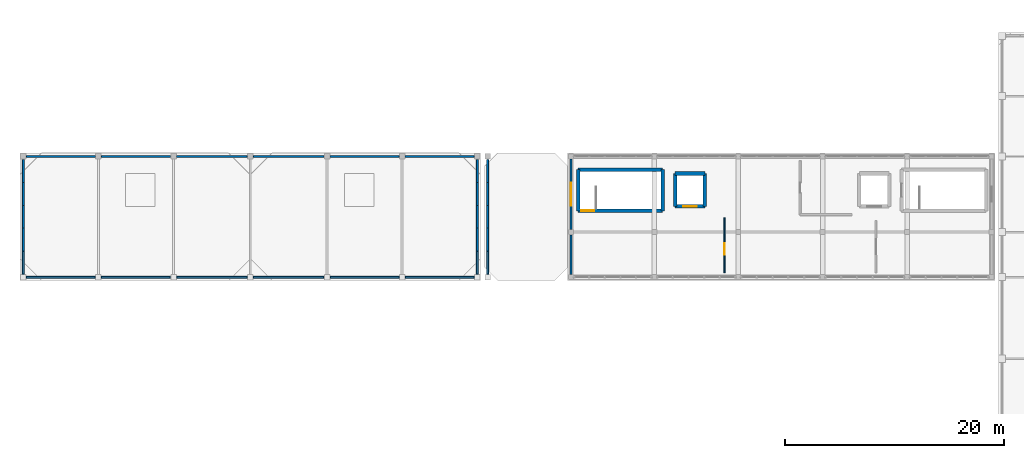
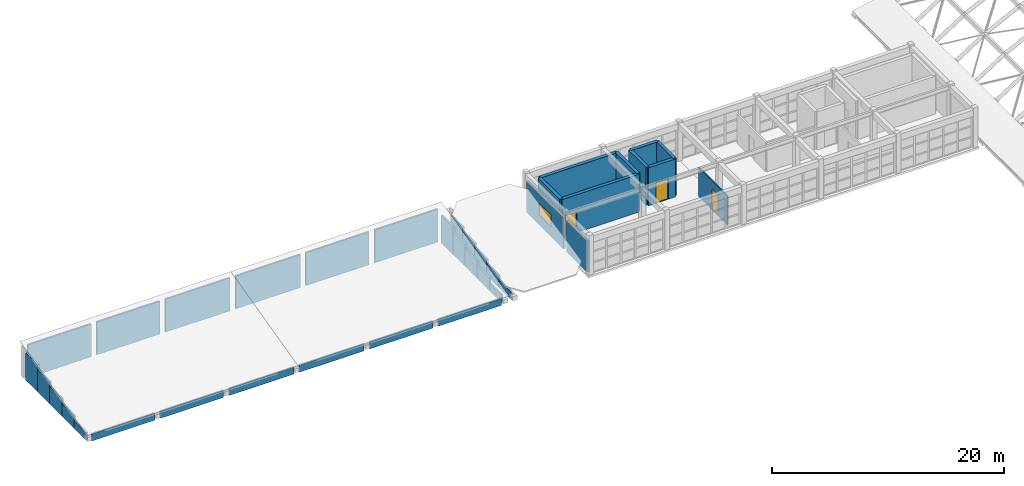
# One storey, part 46 of 52: 38 walls, 3 doors, 1 window, 4 openings.
"""IFC4 building model written with IfcOpenShell, lengths in metres."""

import ifcopenshell
import ifcopenshell.guid

model = None  # the IFC model being written
_history = None  # IfcOwnerHistory: only IFC2X3 demands one
_inside = {}  # id of a spatial element -> (the spatial element, [elements in it])
_under = {}  # id of a project, library or spatial element -> (it, [spatial elements below it])
_declared = {}  # id of a project -> (the project, [libraries it declares])
_typed = {}  # id of a type object -> (the type object, [elements of that type])
_made_of = {}  # id of a material, layer set ... -> (it, [elements and type objects made of it])


def new_model(schema):
    """Start an empty IFC model of exactly this schema.

    Asked for "IFC4X3", IfcOpenShell would pick the latest addendum, in which some entities
    have other attributes; the version numbers below select the first issue.
    IFC2X3 requires an IfcOwnerHistory on every rooted entity: one is made here for all.
    """
    global model, _history
    if schema == "IFC4X3":
        model = ifcopenshell.file(schema_version=(4, 3, 0, 0))
    else:
        model = ifcopenshell.file(schema=schema)
    _inside.clear()
    _under.clear()
    _declared.clear()
    _typed.clear()
    _made_of.clear()
    _history = None
    if model.schema == "IFC2X3":
        org = make("IfcOrganization", Name="unknown")
        user = make(
            "IfcPersonAndOrganization",
            ThePerson=make("IfcPerson", FamilyName="unknown"),
            TheOrganization=org,
        )
        app = make(
            "IfcApplication",
            ApplicationDeveloper=org,
            Version="unknown",
            ApplicationFullName="unknown",
            ApplicationIdentifier="unknown",
        )
        _history = make(
            "IfcOwnerHistory",
            OwningUser=user,
            OwningApplication=app,
            ChangeAction="ADDED",
            CreationDate=0,
        )
    return model


def make(cls, **values):
    """One entity of the class cls with the attributes given. An attribute that is None is left unset."""
    return model.create_entity(
        cls, **{name: value for name, value in values.items() if value is not None}
    )


def rooted(cls, **values):
    """An entity with a GlobalId (a new one), such as an element, a storey or a relation."""
    return make(cls, GlobalId=ifcopenshell.guid.new(), OwnerHistory=_history, **values)


def si_unit(unit_type, name, prefix=None):
    """IfcSIUnit, for example si_unit("LENGTHUNIT", "METRE", prefix="MILLI")."""
    return make("IfcSIUnit", UnitType=unit_type, Prefix=prefix, Name=name)


def assignment(units):
    """IfcUnitAssignment: the units of a project."""
    return None if units is None else make("IfcUnitAssignment", Units=units)


def point(xyz):
    """IfcCartesianPoint."""
    return None if xyz is None else make("IfcCartesianPoint", Coordinates=xyz)


def direction(xyz):
    """IfcDirection."""
    return None if xyz is None else make("IfcDirection", DirectionRatios=xyz)


def frame(location, z_axis=None, x_axis=None):
    """IfcAxis2Placement3D, a coordinate frame: its origin and axes. An axis left out is left unset."""
    return make(
        "IfcAxis2Placement3D",
        Location=point(location),
        Axis=direction(z_axis),
        RefDirection=direction(x_axis),
    )


def frame_2d(location, x_axis=None):
    """IfcAxis2Placement2D, a coordinate frame in the plane: its origin and x axis."""
    return make(
        "IfcAxis2Placement2D", Location=point(location), RefDirection=direction(x_axis)
    )


def origin():
    """The frame at (0, 0, 0) with its axes left unset."""
    return frame((0.0, 0.0, 0.0))


def place(relative_to, where):
    """IfcLocalPlacement: puts the frame where relative to a parent placement (None: the world)."""
    return make(
        "IfcLocalPlacement", PlacementRelTo=relative_to, RelativePlacement=where
    )


def context(
    kind, dimensions, precision=None, world=None, true_north=None, identifier=None
):
    """IfcGeometricRepresentationContext, for example the 3D "Model" context."""
    return make(
        "IfcGeometricRepresentationContext",
        ContextIdentifier=identifier,
        ContextType=kind,
        CoordinateSpaceDimension=dimensions,
        Precision=precision,
        WorldCoordinateSystem=world,
        TrueNorth=true_north,
    )


def subcontext(parent, identifier, kind, view, scale=None):
    """IfcGeometricRepresentationSubContext, for example "Body" below "Model"."""
    return make(
        "IfcGeometricRepresentationSubContext",
        ContextIdentifier=identifier,
        ContextType=kind,
        ParentContext=parent,
        TargetScale=scale,
        TargetView=view,
    )


def project(units=None, contexts=None):
    """IfcProject with its units and contexts."""
    return rooted(
        "IfcProject",
        Name="project",
        RepresentationContexts=contexts,
        UnitsInContext=assignment(units),
    )


def spatial(cls, under=None, at=None, **own):
    """A site, building, storey or space (cls), placed at a placement, below another one or the project."""
    s = rooted(cls, ObjectPlacement=at, **own)
    if under is not None:
        _under.setdefault(under.id(), (under, []))[1].append(s)
    return s


def profile(cls, at=None, kind="AREA", **sizes):
    """A parametric profile (cls). Its sizes go by their IFC names, for example OverallWidth=200.0."""
    return make(cls, ProfileType=kind, Position=at, **sizes)


def rectangle(**sizes):
    """IfcRectangleProfileDef."""
    return profile("IfcRectangleProfileDef", **sizes)


def extrude(swept, where, along, depth):
    """IfcExtrudedAreaSolid: the profile swept, set in the frame where, extruded along a direction by depth."""
    return make(
        "IfcExtrudedAreaSolid",
        SweptArea=swept,
        Position=where,
        ExtrudedDirection=direction(along),
        Depth=depth,
    )


def shape(context_of_items, identifier, shape_type, items):
    """IfcShapeRepresentation: the items that make up one representation, for example the "Body"."""
    return make(
        "IfcShapeRepresentation",
        ContextOfItems=context_of_items,
        RepresentationIdentifier=identifier,
        RepresentationType=shape_type,
        Items=items,
    )


def material(Name=None, Category=None):
    """IfcMaterial."""
    return make("IfcMaterial", Name=Name, Category=Category)


def layer(
    of_material, thickness, ventilated=None, Name=None, Category=None, Priority=None
):
    """IfcMaterialLayer: one layer of a wall or slab, of a material (None: an air gap)."""
    return make(
        "IfcMaterialLayer",
        Material=of_material,
        LayerThickness=thickness,
        IsVentilated=ventilated,
        Name=Name,
        Category=Category,
        Priority=Priority,
    )


def layer_set(layers, Name=None):
    """IfcMaterialLayerSet."""
    return make("IfcMaterialLayerSet", MaterialLayers=layers, LayerSetName=Name)


def made_of(thing, what):
    """Note that an element or type object is made of a material, layer set ...; save() writes the relation."""
    if what is not None:
        _made_of.setdefault(what.id(), (what, []))[1].append(thing)
    return thing


def type_object(cls, material=None, **own):
    """A type object (cls), such as IfcWallType, which elements share."""
    return made_of(rooted(cls, **own), material)


def element(
    cls,
    number,
    at=None,
    inside=None,
    cuts=None,
    type_object=None,
    material=None,
    context=None,
    identifier="Body",
    shape_type=None,
    held_by="IfcProductDefinitionShape",
    body=None,
    shapes=None,
    **own,
):
    """One element of the class cls, such as IfcWall. Its Tag is "e" and its number.

    at: its placement. inside: the storey or other place that contains it. cuts: it is an
    opening in that element (IfcRelVoidsElement). A single representation is given by context,
    identifier, shape_type and body (its items); several are given by shapes. held_by: the class
    of the entity that holds the representations. save() writes the other relations.
    """
    e = rooted(cls, Tag="e%d" % number, ObjectPlacement=at, **own)
    if body is not None:
        shapes = [shape(context, identifier, shape_type, body)]
    if shapes is not None:
        e.Representation = make(held_by, Representations=shapes)
    if inside is not None:
        _inside.setdefault(inside.id(), (inside, []))[1].append(e)
    if cuts is not None:
        rooted(
            "IfcRelVoidsElement", RelatingBuildingElement=cuts, RelatedOpeningElement=e
        )
    if type_object is not None:
        _typed.setdefault(type_object.id(), (type_object, []))[1].append(e)
    return made_of(e, material)


def fill(opening, filler):
    """IfcRelFillsElement: the door or window that sits in an opening."""
    return rooted(
        "IfcRelFillsElement",
        RelatingOpeningElement=opening,
        RelatedBuildingElement=filler,
    )


def aggregate(whole, parts):
    """IfcRelAggregates: a whole, such as a stair, and the parts it consists of."""
    return rooted("IfcRelAggregates", RelatingObject=whole, RelatedObjects=parts)


def save(model, path):
    """Write the relations noted so far, then the file.

    IfcRelAggregates (storeys below a building ...), IfcRelContainedInSpatialStructure (elements
    in a storey), IfcRelDefinesByType, IfcRelAssociatesMaterial and IfcRelDeclares: one each for
    every whole, place, type object, material and project.
    """
    for whole, parts in _under.values():
        aggregate(whole, parts)
    for where, things in _inside.values():
        rooted(
            "IfcRelContainedInSpatialStructure",
            RelatedElements=things,
            RelatingStructure=where,
        )
    for kind, things in _typed.values():
        rooted("IfcRelDefinesByType", RelatedObjects=things, RelatingType=kind)
    for what, things in _made_of.values():
        rooted("IfcRelAssociatesMaterial", RelatedObjects=things, RelatingMaterial=what)
    for by, libraries in _declared.values():
        rooted("IfcRelDeclares", RelatingContext=by, RelatedDefinitions=libraries)
    model.write(path)


model = new_model("IFC4")

# Units and contexts
model_context = context("Model", 3, precision=1e-05, world=origin(), true_north=direction((0.0, 1.0)))
body_context = subcontext(model_context, "Body", "Model", "MODEL_VIEW")
ifc_project = project(units=[si_unit("LENGTHUNIT", "METRE"), si_unit("AREAUNIT", "SQUARE_METRE"), si_unit("VOLUMEUNIT", "CUBIC_METRE"), si_unit("PLANEANGLEUNIT", "RADIAN"), si_unit("MASSUNIT", "GRAM", prefix="KILO")], contexts=[model_context])

# Site, building, storey
site_placement = place(None, origin())
site = spatial("IfcSite", under=ifc_project, at=site_placement, CompositionType="ELEMENT")
building_placement = place(site_placement, origin())
building = spatial("IfcBuilding", under=site, at=building_placement, Name="Candilejo Ridge Gondola Terminal", CompositionType="ELEMENT")
storey_placement = place(building_placement, frame((0.0, 0.0, 18.60009765625)))
storey = spatial("IfcBuildingStorey", under=building, at=storey_placement, Name="L04", CompositionType="ELEMENT", Elevation=18.60009765625)

# Wall
ifc_material_1 = material(Name="Concrete C20/25 masonry blockwork (f'm 14 MPa)", Category="masonry")
ifc_layer_1 = layer(ifc_material_1, 0.219970703125)
ifc_layer_set_1 = layer_set([ifc_layer_1], Name="ARC-EXT-WALL-220")
wall_type_1 = type_object("IfcWallType", Name="ARC-EXT-WALL-220", PredefinedType="STANDARD", material=ifc_layer_set_1)
wall_1_placement = place(storey_placement, frame((94.60009765625, 25.949951171875, 0.0), z_axis=(0.0, 0.0, 1.0), x_axis=(0.0, 1.0, 0.0)))
element("IfcWall", 1, at=wall_1_placement, inside=storey, type_object=wall_type_1, Name="Exterior facade wall EW-V3-L04-085", PredefinedType="STANDARD", context=body_context, shape_type="SweptSolid", body=[
    extrude(rectangle(XDim=3.60009765625, YDim=0.219970703125, at=frame_2d((1.800048828125, 0.0))), origin(), (0.0, 0.0, 1.0), 3.27978515625),
])

# Wall, opening, window
wall_2_placement = place(storey_placement, frame((94.60009765625, 30.050048828125, 0.0), z_axis=(0.0, 0.0, 1.0), x_axis=(0.0, 1.0, 0.0)))
wall_2 = element("IfcWall", 2, at=wall_2_placement, inside=storey, type_object=wall_type_1, Name="Exterior facade wall EW-V3-L04-087", PredefinedType="STANDARD", context=body_context, shape_type="SweptSolid", body=[
    extrude(rectangle(XDim=6.39990234375, YDim=0.219970703125, at=frame_2d((3.199951171875, 0.0))), origin(), (0.0, 0.0, 1.0), 3.27978515625),
])
opening_1_placement = place(wall_2_placement, frame((2.14990234375, 0.0, 0.97998046875)))
opening_1 = element("IfcOpeningElement", 3, at=opening_1_placement, cuts=wall_2, Name="Opening WN-05D", PredefinedType="OPENING", context=body_context, shape_type="SweptSolid", body=[
    extrude(rectangle(XDim=2.10009765625, YDim=1.300048828125, at=frame_2d((1.050048828125, 0.64990234375))), frame((0.0, 0.119873046875, 0.0), z_axis=(0.0, -1.0, 0.0), x_axis=(1.0, 0.0, 0.0)), (0.0, 0.0, 1.0), 0.239990234375),
])
ifc_material_2 = material(Name="Low-E laminated double glazing 6+12A+6+1.52PVB+6 mm", Category="glass")
window_type = type_object("IfcWindowType", Name="ARC-WIN-2100X1300", PartitioningType="SINGLE_PANEL", PredefinedType="WINDOW", material=ifc_material_2)
window_placement = place(opening_1_placement, origin())
window = element("IfcWindow", 4, at=window_placement, inside=storey, type_object=window_type, Name="Window WIN-041", OverallHeight=1.300048828125, OverallWidth=2.10009765625, PartitioningType="SINGLE_PANEL", PredefinedType="WINDOW", context=body_context, shape_type="SweptSolid", body=[
    extrude(rectangle(XDim=2.10009765625, YDim=1.300048828125, at=frame_2d((1.050048828125, 0.64990234375))), frame((0.0, 0.030029296875, 0.0), z_axis=(0.0, -1.0, 0.0), x_axis=(1.0, 0.0, 0.0)), (0.0, 0.0, 1.0), 0.06005859375),
])
fill(opening_1, window)

# Walls
ifc_material_3 = material(Name="Concrete f'c 35 MPa (C35/45)", Category="concrete")
ifc_layer_2 = layer(ifc_material_3, 0.179931640625)
ifc_layer_set_2 = layer_set([ifc_layer_2], Name="ARC-PARAPET-WALL-180")
wall_type_2 = type_object("IfcWallType", Name="ARC-PARAPET-WALL-180", PredefinedType="PARAPET", material=ifc_layer_set_2)
for number, where, z_axis, x_axis, name in (
    (5, (44.929931640625, 25.699951171875, -0.2001953125), (0.0, 0.0, 1.0), (1.0, 0.0, 0.0), "Roof perimeter gable/spandrel wall L04-030"),
    (6, (51.780029296875, 25.699951171875, -0.2001953125), (0.0, 0.0, 1.0), (1.0, 0.0, 0.0), "Roof perimeter gable/spandrel wall L04-031"),
):
    element("IfcWall", number, at=place(storey_placement, frame(where, z_axis=z_axis, x_axis=x_axis)), inside=storey, type_object=wall_type_2, Name=name, PredefinedType="PARAPET", context=body_context, shape_type="SweptSolid", body=[
        extrude(rectangle(XDim=6.2900390625, YDim=0.179931640625, at=frame_2d((3.14501953125, 0.0))), origin(), (0.0, 0.0, 1.0), 0.719482421875),
    ])
wall_3_placement = place(storey_placement, frame((58.6298828125, 25.699951171875, -0.2001953125), z_axis=(0.0, 0.0, 1.0), x_axis=(1.0, 0.0, 0.0)))
element("IfcWall", 7, at=wall_3_placement, inside=storey, type_object=wall_type_2, Name="Roof perimeter gable/spandrel wall L04-032", PredefinedType="PARAPET", context=body_context, shape_type="SweptSolid", body=[
    extrude(rectangle(XDim=6.440185546875, YDim=0.179931640625, at=frame_2d((3.22021484375, 0.0))), origin(), (0.0, 0.0, 1.0), 0.719482421875),
])
for number, where, z_axis, x_axis, name in (
    (8, (44.929931640625, 36.699951171875, -0.2001953125), (0.0, 0.0, 1.0), (1.0, 0.0, 0.0), "Roof perimeter gable/spandrel wall L04-033"),
    (9, (51.780029296875, 36.699951171875, -0.2001953125), (0.0, 0.0, 1.0), (1.0, 0.0, 0.0), "Roof perimeter gable/spandrel wall L04-034"),
):
    element("IfcWall", number, at=place(storey_placement, frame(where, z_axis=z_axis, x_axis=x_axis)), inside=storey, type_object=wall_type_2, Name=name, PredefinedType="PARAPET", context=body_context, shape_type="SweptSolid", body=[
        extrude(rectangle(XDim=6.2900390625, YDim=0.179931640625, at=frame_2d((3.14501953125, 0.0))), origin(), (0.0, 0.0, 1.0), 3.4619140625),
    ])
wall_4_placement = place(storey_placement, frame((58.6298828125, 36.699951171875, -0.2001953125), z_axis=(0.0, 0.0, 1.0), x_axis=(1.0, 0.0, 0.0)))
element("IfcWall", 10, at=wall_4_placement, inside=storey, type_object=wall_type_2, Name="Roof perimeter gable/spandrel wall L04-035", PredefinedType="PARAPET", context=body_context, shape_type="SweptSolid", body=[
    extrude(rectangle(XDim=6.440185546875, YDim=0.179931640625, at=frame_2d((3.22021484375, 0.0))), origin(), (0.0, 0.0, 1.0), 3.4619140625),
])
wall_5_placement = place(storey_placement, frame((44.64990234375, 25.97998046875, -0.2001953125), z_axis=(0.0, 0.0, 1.0), x_axis=(0.0, 1.0, 0.0)))
element("IfcWall", 11, at=wall_5_placement, inside=storey, type_object=wall_type_2, Name="Roof perimeter gable/spandrel wall L04-036", PredefinedType="PARAPET", context=body_context, shape_type="SweptSolid", body=[
    extrude(rectangle(XDim=2.088134765625, YDim=0.179931640625, at=frame_2d((1.0439453125, 0.0))), origin(), (0.0, 0.0, 1.0), 0.789306640625),
])
wall_6_placement = place(storey_placement, frame((44.64990234375, 28.068115234375, -0.2001953125), z_axis=(0.0, 0.0, 1.0), x_axis=(0.0, 1.0, 0.0)))
element("IfcWall", 12, at=wall_6_placement, inside=storey, type_object=wall_type_2, Name="Roof perimeter gable/spandrel wall L04-037", PredefinedType="PARAPET", context=body_context, shape_type="SweptSolid", body=[
    extrude(rectangle(XDim=2.087890625, YDim=0.179931640625, at=frame_2d((1.0439453125, 0.0))), origin(), (0.0, 0.0, 1.0), 1.309814453125),
])
wall_7_placement = place(storey_placement, frame((44.64990234375, 30.156005859375, -0.2001953125), z_axis=(0.0, 0.0, 1.0), x_axis=(0.0, 1.0, 0.0)))
element("IfcWall", 13, at=wall_7_placement, inside=storey, type_object=wall_type_2, Name="Roof perimeter gable/spandrel wall L04-038", PredefinedType="PARAPET", context=body_context, shape_type="SweptSolid", body=[
    extrude(rectangle(XDim=2.087890625, YDim=0.179931640625, at=frame_2d((1.0439453125, 0.0))), origin(), (0.0, 0.0, 1.0), 1.830322265625),
])
wall_8_placement = place(storey_placement, frame((44.64990234375, 32.243896484375, -0.2001953125), z_axis=(0.0, 0.0, 1.0), x_axis=(0.0, 1.0, 0.0)))
element("IfcWall", 14, at=wall_8_placement, inside=storey, type_object=wall_type_2, Name="Roof perimeter gable/spandrel wall L04-039", PredefinedType="PARAPET", context=body_context, shape_type="SweptSolid", body=[
    extrude(rectangle(XDim=2.088134765625, YDim=0.179931640625, at=frame_2d((1.0439453125, 0.0))), origin(), (0.0, 0.0, 1.0), 2.35107421875),
])
wall_9_placement = place(storey_placement, frame((44.64990234375, 34.33203125, -0.2001953125), z_axis=(0.0, 0.0, 1.0), x_axis=(0.0, 1.0, 0.0)))
element("IfcWall", 15, at=wall_9_placement, inside=storey, type_object=wall_type_2, Name="Roof perimeter gable/spandrel wall L04-040", PredefinedType="PARAPET", context=body_context, shape_type="SweptSolid", body=[
    extrude(rectangle(XDim=2.087890625, YDim=0.179931640625, at=frame_2d((1.0439453125, 0.0))), origin(), (0.0, 0.0, 1.0), 2.87158203125),
])
wall_10_placement = place(storey_placement, frame((65.6298828125, 25.699951171875, -0.2001953125), z_axis=(0.0, 0.0, 1.0), x_axis=(1.0, 0.0, 0.0)))
element("IfcWall", 16, at=wall_10_placement, inside=storey, type_object=wall_type_2, Name="Roof perimeter gable/spandrel wall L04-041", PredefinedType="PARAPET", context=body_context, shape_type="SweptSolid", body=[
    extrude(rectangle(XDim=6.440185546875, YDim=0.179931640625, at=frame_2d((3.22021484375, 0.0))), origin(), (0.0, 0.0, 1.0), 0.719482421875),
])
for number, where, z_axis, x_axis, name in (
    (17, (72.6298828125, 25.699951171875, -0.2001953125), (0.0, 0.0, 1.0), (1.0, 0.0, 0.0), "Roof perimeter gable/spandrel wall L04-042"),
    (18, (79.47998046875, 25.699951171875, -0.2001953125), (0.0, 0.0, 1.0), (1.0, 0.0, 0.0), "Roof perimeter gable/spandrel wall L04-043"),
):
    element("IfcWall", number, at=place(storey_placement, frame(where, z_axis=z_axis, x_axis=x_axis)), inside=storey, type_object=wall_type_2, Name=name, PredefinedType="PARAPET", context=body_context, shape_type="SweptSolid", body=[
        extrude(rectangle(XDim=6.2900390625, YDim=0.179931640625, at=frame_2d((3.14501953125, 0.0))), origin(), (0.0, 0.0, 1.0), 0.719482421875),
    ])
wall_11_placement = place(storey_placement, frame((65.6298828125, 36.699951171875, -0.2001953125), z_axis=(0.0, 0.0, 1.0), x_axis=(1.0, 0.0, 0.0)))
element("IfcWall", 19, at=wall_11_placement, inside=storey, type_object=wall_type_2, Name="Roof perimeter gable/spandrel wall L04-044", PredefinedType="PARAPET", context=body_context, shape_type="SweptSolid", body=[
    extrude(rectangle(XDim=6.440185546875, YDim=0.179931640625, at=frame_2d((3.22021484375, 0.0))), origin(), (0.0, 0.0, 1.0), 3.4619140625),
])
for number, where, z_axis, x_axis, name in (
    (20, (72.6298828125, 36.699951171875, -0.2001953125), (0.0, 0.0, 1.0), (1.0, 0.0, 0.0), "Roof perimeter gable/spandrel wall L04-045"),
    (21, (79.47998046875, 36.699951171875, -0.2001953125), (0.0, 0.0, 1.0), (1.0, 0.0, 0.0), "Roof perimeter gable/spandrel wall L04-046"),
):
    element("IfcWall", number, at=place(storey_placement, frame(where, z_axis=z_axis, x_axis=x_axis)), inside=storey, type_object=wall_type_2, Name=name, PredefinedType="PARAPET", context=body_context, shape_type="SweptSolid", body=[
        extrude(rectangle(XDim=6.2900390625, YDim=0.179931640625, at=frame_2d((3.14501953125, 0.0))), origin(), (0.0, 0.0, 1.0), 3.4619140625),
    ])
wall_12_placement = place(storey_placement, frame((86.050048828125, 25.97998046875, -0.2001953125), z_axis=(0.0, 0.0, 1.0), x_axis=(0.0, 1.0, 0.0)))
element("IfcWall", 22, at=wall_12_placement, inside=storey, type_object=wall_type_2, Name="Roof perimeter gable/spandrel wall L04-047", PredefinedType="PARAPET", context=body_context, shape_type="SweptSolid", body=[
    extrude(rectangle(XDim=2.088134765625, YDim=0.179931640625, at=frame_2d((1.0439453125, 0.0))), origin(), (0.0, 0.0, 1.0), 0.789306640625),
])
wall_13_placement = place(storey_placement, frame((86.050048828125, 28.068115234375, -0.2001953125), z_axis=(0.0, 0.0, 1.0), x_axis=(0.0, 1.0, 0.0)))
element("IfcWall", 23, at=wall_13_placement, inside=storey, type_object=wall_type_2, Name="Roof perimeter gable/spandrel wall L04-048", PredefinedType="PARAPET", context=body_context, shape_type="SweptSolid", body=[
    extrude(rectangle(XDim=2.087890625, YDim=0.179931640625, at=frame_2d((1.0439453125, 0.0))), origin(), (0.0, 0.0, 1.0), 1.309814453125),
])
wall_14_placement = place(storey_placement, frame((86.050048828125, 30.156005859375, -0.2001953125), z_axis=(0.0, 0.0, 1.0), x_axis=(0.0, 1.0, 0.0)))
element("IfcWall", 24, at=wall_14_placement, inside=storey, type_object=wall_type_2, Name="Roof perimeter gable/spandrel wall L04-049", PredefinedType="PARAPET", context=body_context, shape_type="SweptSolid", body=[
    extrude(rectangle(XDim=2.087890625, YDim=0.179931640625, at=frame_2d((1.0439453125, 0.0))), origin(), (0.0, 0.0, 1.0), 1.830322265625),
])
wall_15_placement = place(storey_placement, frame((86.050048828125, 32.243896484375, -0.2001953125), z_axis=(0.0, 0.0, 1.0), x_axis=(0.0, 1.0, 0.0)))
element("IfcWall", 25, at=wall_15_placement, inside=storey, type_object=wall_type_2, Name="Roof perimeter gable/spandrel wall L04-050", PredefinedType="PARAPET", context=body_context, shape_type="SweptSolid", body=[
    extrude(rectangle(XDim=2.088134765625, YDim=0.179931640625, at=frame_2d((1.0439453125, 0.0))), origin(), (0.0, 0.0, 1.0), 2.35107421875),
])
wall_16_placement = place(storey_placement, frame((86.050048828125, 34.33203125, -0.2001953125), z_axis=(0.0, 0.0, 1.0), x_axis=(0.0, 1.0, 0.0)))
element("IfcWall", 26, at=wall_16_placement, inside=storey, type_object=wall_type_2, Name="Roof perimeter gable/spandrel wall L04-051", PredefinedType="PARAPET", context=body_context, shape_type="SweptSolid", body=[
    extrude(rectangle(XDim=2.087890625, YDim=0.179931640625, at=frame_2d((1.0439453125, 0.0))), origin(), (0.0, 0.0, 1.0), 2.87158203125),
])
wall_17_placement = place(storey_placement, frame((87.0, 25.97998046875, -0.210205078125), z_axis=(0.0, 0.0, 1.0), x_axis=(0.0, 1.0, 0.0)))
element("IfcWall", 27, at=wall_17_placement, inside=storey, type_object=wall_type_2, Name="Roof perimeter gable/spandrel wall L04-052", PredefinedType="PARAPET", context=body_context, shape_type="SweptSolid", body=[
    extrude(rectangle(XDim=2.088134765625, YDim=0.179931640625, at=frame_2d((1.0439453125, 0.0))), origin(), (0.0, 0.0, 1.0), 0.794677734375),
])
wall_18_placement = place(storey_placement, frame((87.0, 28.068115234375, -0.210205078125), z_axis=(0.0, 0.0, 1.0), x_axis=(0.0, 1.0, 0.0)))
element("IfcWall", 28, at=wall_18_placement, inside=storey, type_object=wall_type_2, Name="Roof perimeter gable/spandrel wall L04-053", PredefinedType="PARAPET", context=body_context, shape_type="SweptSolid", body=[
    extrude(rectangle(XDim=2.087890625, YDim=0.179931640625, at=frame_2d((1.0439453125, 0.0))), origin(), (0.0, 0.0, 1.0), 1.238525390625),
])
wall_19_placement = place(storey_placement, frame((87.0, 30.156005859375, -0.210205078125), z_axis=(0.0, 0.0, 1.0), x_axis=(0.0, 1.0, 0.0)))
element("IfcWall", 29, at=wall_19_placement, inside=storey, type_object=wall_type_2, Name="Roof perimeter gable/spandrel wall L04-054", PredefinedType="PARAPET", context=body_context, shape_type="SweptSolid", body=[
    extrude(rectangle(XDim=2.087890625, YDim=0.179931640625, at=frame_2d((1.0439453125, 0.0))), origin(), (0.0, 0.0, 1.0), 1.682373046875),
])
wall_20_placement = place(storey_placement, frame((87.0, 32.243896484375, -0.210205078125), z_axis=(0.0, 0.0, 1.0), x_axis=(0.0, 1.0, 0.0)))
element("IfcWall", 30, at=wall_20_placement, inside=storey, type_object=wall_type_2, Name="Roof perimeter gable/spandrel wall L04-055", PredefinedType="PARAPET", context=body_context, shape_type="SweptSolid", body=[
    extrude(rectangle(XDim=2.088134765625, YDim=0.179931640625, at=frame_2d((1.0439453125, 0.0))), origin(), (0.0, 0.0, 1.0), 2.126220703125),
])
wall_21_placement = place(storey_placement, frame((87.0, 34.33203125, -0.210205078125), z_axis=(0.0, 0.0, 1.0), x_axis=(0.0, 1.0, 0.0)))
element("IfcWall", 31, at=wall_21_placement, inside=storey, type_object=wall_type_2, Name="Roof perimeter gable/spandrel wall L04-056", PredefinedType="PARAPET", context=body_context, shape_type="SweptSolid", body=[
    extrude(rectangle(XDim=2.087890625, YDim=0.179931640625, at=frame_2d((1.0439453125, 0.0))), origin(), (0.0, 0.0, 1.0), 2.570068359375),
])

# Wall, opening, door
ifc_material_4 = material(Name="Acoustic operable panel system", Category="wood")
ifc_layer_3 = layer(ifc_material_4, 0.110107421875)
ifc_layer_set_3 = layer_set([ifc_layer_3], Name="ARC-PART-MOVABLE-110")
wall_type_3 = type_object("IfcWallType", Name="ARC-PART-MOVABLE-110", PredefinedType="MOVABLE", material=ifc_layer_set_3)
wall_22_placement = place(storey_placement, frame((108.60009765625, 26.10009765625, 0.0), z_axis=(0.0, 0.0, 1.0), x_axis=(0.0, 1.0, 0.0)))
wall_22 = element("IfcWall", 32, at=wall_22_placement, inside=storey, type_object=wall_type_3, Name="Interior partition PT-V3-L04-0129", PredefinedType="MOVABLE", context=body_context, shape_type="SweptSolid", body=[
    extrude(rectangle(XDim=5.0, YDim=0.110107421875, at=frame_2d((2.5, 0.0))), origin(), (0.0, 0.0, 1.0), 3.0498046875),
])
opening_2_placement = place(wall_22_placement, frame((1.625, 0.0, 0.0)))
opening_2 = element("IfcOpeningElement", 33, at=opening_2_placement, cuts=wall_22, Name="Opening ID-01A", PredefinedType="OPENING", context=body_context, shape_type="SweptSolid", body=[
    extrude(rectangle(XDim=1.050048828125, YDim=2.199951171875, at=frame_2d((0.52490234375, 1.10009765625))), frame((0.0, 0.06494140625, 0.0), z_axis=(0.0, -1.0, 0.0), x_axis=(1.0, 0.0, 0.0)), (0.0, 0.0, 1.0), 0.130126953125),
])
ifc_material_5 = material(Name="Solid-core fire-rated hardwood door leaf", Category="wood")
door_type_1 = type_object("IfcDoorType", Name="ARC-DOOR-INT-1050", OperationType="NOTDEFINED", PredefinedType="DOOR", material=ifc_material_5)
door_1_placement = place(opening_2_placement, origin())
door_1 = element("IfcDoor", 34, at=door_1_placement, inside=storey, type_object=door_type_1, Name="Interior door IDR-0070 (401)", OperationType="SINGLE_SWING_RIGHT", OverallHeight=2.199951171875, OverallWidth=1.050048828125, PredefinedType="DOOR", context=body_context, shape_type="SweptSolid", body=[
    extrude(rectangle(XDim=1.050048828125, YDim=2.199951171875, at=frame_2d((0.52490234375, 1.10009765625))), frame((0.0, 0.02490234375, 0.0), z_axis=(0.0, -1.0, 0.0), x_axis=(1.0, 0.0, 0.0)), (0.0, 0.0, 1.0), 0.050048828125),
])
fill(opening_2, door_1)

ifc_material_6 = material(Name="Concrete f'c 35 MPa (C35/45)", Category="concrete")
ifc_layer_4 = layer(ifc_material_6, 0.324951171875)
ifc_layer_set_4 = layer_set([ifc_layer_4], Name="STR-CORE-WALL-325")
wall_type_4 = type_object("IfcWallType", Name="STR-CORE-WALL-325", PredefinedType="SHEAR", material=ifc_layer_set_4)
wall_23_placement = place(storey_placement, frame((95.25, 31.75, 0.0), z_axis=(0.0, 0.0, 1.0), x_axis=(1.0, 0.0, 0.0)))
wall_23 = element("IfcWall", 35, at=wall_23_placement, inside=storey, type_object=wall_type_4, Name="Core stair shear wall SW-C-V3A-L04-ST-S", PredefinedType="SHEAR", context=body_context, shape_type="SweptSolid", body=[
    extrude(rectangle(XDim=7.699951171875, YDim=0.324951171875, at=frame_2d((3.85009765625, 0.0))), origin(), (0.0, 0.0, 1.0), 3.989990234375),
])
opening_3_placement = place(wall_23_placement, frame((0.280029296875, 0.0, 0.0)))
opening_3 = element("IfcOpeningElement", 36, at=opening_3_placement, cuts=wall_23, Name="Opening FD-01", PredefinedType="OPENING", context=body_context, shape_type="SweptSolid", body=[
    extrude(rectangle(XDim=1.199951171875, YDim=2.199951171875, at=frame_2d((0.60009765625, 1.10009765625))), frame((0.0, 0.17236328125, 0.0), z_axis=(0.0, -1.0, 0.0), x_axis=(1.0, 0.0, 0.0)), (0.0, 0.0, 1.0), 0.344970703125),
])
ifc_material_7 = material(Name="Steel ASTM A653 Grade 33 hollow-metal door", Category="steel")
door_type_2 = type_object("IfcDoorType", Name="ARC-DOOR-FD90-1200", OperationType="NOTDEFINED", PredefinedType="DOOR", material=ifc_material_7)
door_2_placement = place(opening_3_placement, origin())
door_2 = element("IfcDoor", 37, at=door_2_placement, inside=storey, type_object=door_type_2, Name="Fire stair door SDR-019", OperationType="SINGLE_SWING_LEFT", OverallHeight=2.199951171875, OverallWidth=1.199951171875, PredefinedType="DOOR", context=body_context, shape_type="SweptSolid", body=[
    extrude(rectangle(XDim=1.199951171875, YDim=2.199951171875, at=frame_2d((0.60009765625, 1.10009765625))), frame((0.0, 0.02490234375, 0.0), z_axis=(0.0, -1.0, 0.0), x_axis=(1.0, 0.0, 0.0)), (0.0, 0.0, 1.0), 0.050048828125),
])
fill(opening_3, door_2)

# Walls
wall_24_placement = place(storey_placement, frame((102.949951171875, 35.5, 0.0), z_axis=(0.0, 0.0, 1.0), x_axis=(-1.0, 0.0, 0.0)))
element("IfcWall", 38, at=wall_24_placement, inside=storey, type_object=wall_type_4, Name="Core stair shear wall SW-C-V3A-L04-ST-N", PredefinedType="SHEAR", context=body_context, shape_type="SweptSolid", body=[
    extrude(rectangle(XDim=7.699951171875, YDim=0.324951171875, at=frame_2d((3.85009765625, 0.0))), origin(), (0.0, 0.0, 1.0), 3.989990234375),
])
for number, where, z_axis, x_axis, name in (
    (39, (95.25, 35.5, 0.0), (0.0, 0.0, 1.0), (0.0, -1.0, 0.0), "Core stair shear wall SW-C-V3A-L04-ST-W"),
    (40, (102.949951171875, 31.75, 0.0), (0.0, 0.0, 1.0), (0.0, 1.0, 0.0), "Core stair shear wall SW-C-V3A-L04-ST-E"),
):
    element("IfcWall", number, at=place(storey_placement, frame(where, z_axis=z_axis, x_axis=x_axis)), inside=storey, type_object=wall_type_4, Name=name, PredefinedType="SHEAR", context=body_context, shape_type="SweptSolid", body=[
        extrude(rectangle(XDim=3.75, YDim=0.324951171875, at=frame_2d((1.875, 0.0))), origin(), (0.0, 0.0, 1.0), 3.989990234375),
    ])

# Wall, opening, door
wall_25_placement = place(storey_placement, frame((104.10009765625, 32.14990234375, 0.0), z_axis=(0.0, 0.0, 1.0), x_axis=(1.0, 0.0, 0.0)))
wall_25 = element("IfcWall", 41, at=wall_25_placement, inside=storey, type_object=wall_type_4, Name="Lift shaft shear wall SW-C-V3A-L04-LF-S", PredefinedType="SHEAR", context=body_context, shape_type="SweptSolid", body=[
    extrude(rectangle(XDim=2.699951171875, YDim=0.324951171875, at=frame_2d((1.35009765625, 0.0))), origin(), (0.0, 0.0, 1.0), 4.0048828125),
])
opening_4_placement = place(wall_25_placement, frame((0.72509765625, 0.0, 0.0)))
opening_4 = element("IfcOpeningElement", 42, at=opening_4_placement, cuts=wall_25, Name="Opening LD-01B", PredefinedType="OPENING", context=body_context, shape_type="SweptSolid", body=[
    extrude(rectangle(XDim=1.25, YDim=2.199951171875, at=frame_2d((0.625, 1.10009765625))), frame((0.0, 0.17236328125, 0.0), z_axis=(0.0, -1.0, 0.0), x_axis=(1.0, 0.0, 0.0)), (0.0, 0.0, 1.0), 0.344970703125),
])
ifc_material_8 = material(Name="Brushed stainless steel AISI 316", Category="steel")
door_type_3 = type_object("IfcDoorType", Name="ARC-LIFT-DOOR-1250", OperationType="NOTDEFINED", PredefinedType="DOOR", material=ifc_material_8)
door_3_placement = place(opening_4_placement, origin())
door_3 = element("IfcDoor", 43, at=door_3_placement, inside=storey, type_object=door_type_3, Name="Elevator landing door LDR-019", OperationType="SLIDING_TO_LEFT", OverallHeight=2.199951171875, OverallWidth=1.25, PredefinedType="DOOR", context=body_context, shape_type="SweptSolid", body=[
    extrude(rectangle(XDim=1.25, YDim=2.199951171875, at=frame_2d((0.625, 1.10009765625))), frame((0.0, 0.02490234375, 0.0), z_axis=(0.0, -1.0, 0.0), x_axis=(1.0, 0.0, 0.0)), (0.0, 0.0, 1.0), 0.050048828125),
])
fill(opening_4, door_3)

# Walls
wall_26_placement = place(storey_placement, frame((104.10009765625, 35.14990234375, 0.0), z_axis=(0.0, 0.0, 1.0), x_axis=(1.0, 0.0, 0.0)))
element("IfcWall", 44, at=wall_26_placement, inside=storey, type_object=wall_type_4, Name="Lift shaft shear wall SW-C-V3A-L04-LF-N", PredefinedType="SHEAR", context=body_context, shape_type="SweptSolid", body=[
    extrude(rectangle(XDim=2.699951171875, YDim=0.324951171875, at=frame_2d((1.35009765625, 0.0))), origin(), (0.0, 0.0, 1.0), 4.0048828125),
])
for number, where, z_axis, x_axis, name in (
    (45, (104.10009765625, 32.14990234375, 0.0), (0.0, 0.0, 1.0), (0.0, 1.0, 0.0), "Lift shaft shear wall SW-C-V3A-L04-LF-W"),
    (46, (106.800048828125, 32.14990234375, 0.0), (0.0, 0.0, 1.0), (0.0, 1.0, 0.0), "Lift shaft shear wall SW-C-V3A-L04-LF-E"),
):
    element("IfcWall", number, at=place(storey_placement, frame(where, z_axis=z_axis, x_axis=x_axis)), inside=storey, type_object=wall_type_4, Name=name, PredefinedType="SHEAR", context=body_context, shape_type="SweptSolid", body=[
        extrude(rectangle(XDim=3.0, YDim=0.324951171875, at=frame_2d((1.5, 0.0))), origin(), (0.0, 0.0, 1.0), 4.0048828125),
    ])

save(model, "model.ifc")
